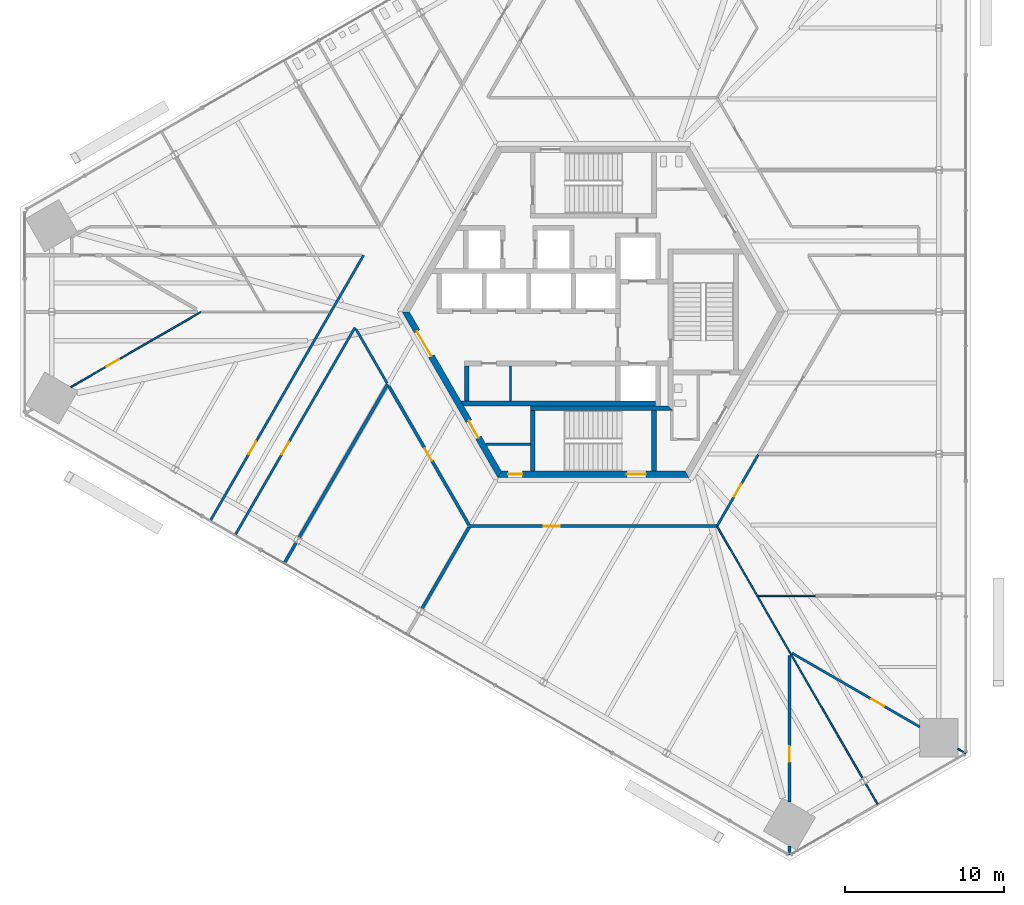
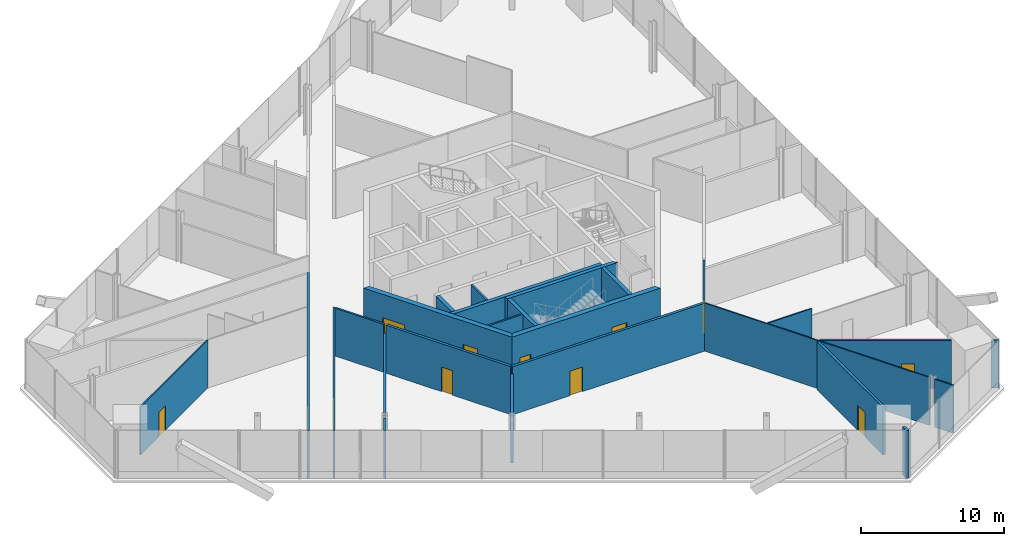
# One storey, part 11 of 17: 26 walls, 12 doors, 12 openings.
"""IFC4 building model written with IfcOpenShell, lengths in metres."""

from ifc_helpers import new_model, si_unit, direction, frame, frame_2d, origin, place, context, subcontext, project, spatial, polyline, rectangle, outline, extrude, source, transform, mapped, material, layer, layer_set, type_object, element, fill, save


model = new_model("IFC4")

# Units and contexts
model_context = context("Model", 3, precision=1e-05, world=origin(), true_north=direction((0.0, 1.0)))
body_context = subcontext(model_context, "Body", "Model", "MODEL_VIEW")
ifc_project = project(units=[si_unit("LENGTHUNIT", "METRE"), si_unit("AREAUNIT", "SQUARE_METRE"), si_unit("VOLUMEUNIT", "CUBIC_METRE"), si_unit("PLANEANGLEUNIT", "RADIAN"), si_unit("MASSUNIT", "GRAM", prefix="KILO")], contexts=[model_context])

# Site, building, storey
site_placement = place(None, origin())
site = spatial("IfcSite", under=ifc_project, at=site_placement, CompositionType="ELEMENT")
building_placement = place(site_placement, origin())
building = spatial("IfcBuilding", under=site, at=building_placement, Name="Triune Harvest Tower", CompositionType="ELEMENT")
storey_placement = place(building_placement, frame((0.0, 0.0, 46.10009765625)))
storey = spatial("IfcBuildingStorey", under=building, at=storey_placement, Name="L10", CompositionType="ELEMENT", Elevation=46.10009765625)

# Wall
ifc_material_1 = material(Name="Gypsum board on steel studs", Category="steel")
ifc_layer_1 = layer(ifc_material_1, 0.14990234375)
ifc_layer_set_1 = layer_set([ifc_layer_1], Name="Gypsum board on steel studs")
wall_type_1 = type_object("IfcWallType", Name="Fire Partition 150 mm", PredefinedType="PARTITIONING", material=ifc_layer_set_1)
wall_1_placement = place(storey_placement, frame((-14.902587890625, -1.072509765625, 0.0), z_axis=(0.0, 0.0, 1.0), x_axis=(0.500012721296, -0.866018059016, 0.0)))
element("IfcWall", 1, at=wall_1_placement, inside=storey, type_object=wall_type_1, Name="Partition L10 004", PredefinedType="PARTITIONING", context=body_context, shape_type="SweptSolid", body=[
    extrude(rectangle(XDim=3.931640625, YDim=0.14990234375, at=frame_2d((1.9658203125, 0.0))), origin(), (0.0, 0.0, 1.0), 4.099853515625),
])

# Wall, opening, door
wall_2_placement = place(storey_placement, frame((12.4736328125, -21.414794921875, 0.0), z_axis=(0.0, 0.0, 1.0), x_axis=(0.86602701864, -0.499997202977, 0.0)))
wall_2 = element("IfcWall", 2, at=wall_2_placement, inside=storey, type_object=wall_type_1, Name="Partition L10 020", PredefinedType="PARTITIONING", context=body_context, shape_type="SweptSolid", body=[
    extrude(rectangle(XDim=9.255859375, YDim=0.14990234375, at=frame_2d((4.6279296875, 0.0))), origin(), (0.0, 0.0, 1.0), 4.099853515625),
])
opening_1_placement = place(wall_2_placement, frame((5.760009765625, 0.0, 0.0)))
opening_1 = element("IfcOpeningElement", 3, at=opening_1_placement, cuts=wall_2, Name="Opening L10-025", PredefinedType="OPENING", context=body_context, shape_type="SweptSolid", body=[
    extrude(rectangle(XDim=0.89990234375, YDim=2.10009765625, at=frame_2d((0.449951171875, 1.050048828125))), frame((0.0, 0.0849609375, 0.0), z_axis=(0.0, -1.0, 0.0), x_axis=(1.0, 0.0, 0.0)), (0.0, 0.0, 1.0), 0.169921875),
])
ifc_material_2 = material(Name="Timber and steel door set", Category="steel")
door_type_1 = type_object("IfcDoorType", Name="Single leaf door FD30 left hand 900 x 2100", OperationType="SINGLE_SWING_LEFT", PredefinedType="DOOR", material=ifc_material_2)
door_1_placement = place(opening_1_placement, origin())
door_1 = element("IfcDoor", 4, at=door_1_placement, inside=storey, type_object=door_type_1, Name="Door L10-025 Feed Store 10.25", OperationType="SINGLE_SWING_LEFT", OverallHeight=2.10009765625, OverallWidth=0.89990234375, PredefinedType="DOOR", context=body_context, shape_type="SweptSolid", body=[
    extrude(rectangle(XDim=0.89990234375, YDim=2.10009765625, at=frame_2d((0.449951171875, 1.050048828125))), frame((0.0, 0.02490234375, 0.0), z_axis=(0.0, -1.0, 0.0), x_axis=(1.0, 0.0, 0.0)), (0.0, 0.0, 1.0), 0.050048828125),
])
fill(opening_1, door_1)

wall_3_placement = place(storey_placement, frame((7.77587890625, -13.416259765625, 0.0), z_axis=(0.0, 0.0, 1.0), x_axis=(0.50002671436, 0.866009979692, 0.0)))
wall_3 = element("IfcWall", 5, at=wall_3_placement, inside=storey, type_object=wall_type_1, Name="Partition L10 045", PredefinedType="PARTITIONING", context=body_context, shape_type="SweptSolid", body=[
    extrude(rectangle(XDim=5.139892578125, YDim=0.14990234375, at=frame_2d((2.56982421875, 0.0))), origin(), (0.0, 0.0, 1.0), 4.099853515625),
])
opening_2_placement = place(wall_3_placement, frame((2.119873046875, 0.0, 0.0)))
opening_2 = element("IfcOpeningElement", 6, at=opening_2_placement, cuts=wall_3, Name="Opening L10-002", PredefinedType="OPENING", context=body_context, shape_type="SweptSolid", body=[
    extrude(rectangle(XDim=0.89990234375, YDim=2.10009765625, at=frame_2d((0.449951171875, 1.050048828125))), frame((0.0, 0.0849609375, 0.0), z_axis=(0.0, -1.0, 0.0), x_axis=(1.0, 0.0, 0.0)), (0.0, 0.0, 1.0), 0.169921875),
])
ifc_material_3 = material(Name="Timber and steel door set", Category="steel")
door_type_2 = type_object("IfcDoorType", Name="Single leaf door FD30 right hand 900 x 2100", OperationType="SINGLE_SWING_RIGHT", PredefinedType="DOOR", material=ifc_material_3)
door_2_placement = place(opening_2_placement, origin())
door_2 = element("IfcDoor", 7, at=door_2_placement, inside=storey, type_object=door_type_2, Name="Door L10-002 Staff Room 10.02", OperationType="SINGLE_SWING_RIGHT", OverallHeight=2.10009765625, OverallWidth=0.89990234375, PredefinedType="DOOR", context=body_context, shape_type="SweptSolid", body=[
    extrude(rectangle(XDim=0.89990234375, YDim=2.10009765625, at=frame_2d((0.449951171875, 1.050048828125))), frame((0.0, 0.02490234375, 0.0), z_axis=(0.0, -1.0, 0.0), x_axis=(1.0, 0.0, 0.0)), (0.0, 0.0, 1.0), 0.050048828125),
])
fill(opening_2, door_2)

wall_4_placement = place(storey_placement, frame((-22.480712890625, -14.0078125, 0.0), z_axis=(0.0, 0.0, 1.0), x_axis=(0.500001023236, 0.866024813018, 0.0)))
wall_4 = element("IfcWall", 8, at=wall_4_placement, inside=storey, type_object=wall_type_1, Name="Partition L10 052", PredefinedType="PARTITIONING", context=body_context, shape_type="SweptSolid", body=[
    extrude(rectangle(XDim=15.04638671875, YDim=0.14990234375, at=frame_2d((7.523193359375, 0.0))), origin(), (0.0, 0.0, 1.0), 4.099853515625),
])
opening_3_placement = place(wall_4_placement, frame((5.85009765625, 0.0, 0.0)))
opening_3 = element("IfcOpeningElement", 9, at=opening_3_placement, cuts=wall_4, Name="Opening L10-021", PredefinedType="OPENING", context=body_context, shape_type="SweptSolid", body=[
    extrude(rectangle(XDim=0.89990234375, YDim=2.10009765625, at=frame_2d((0.449951171875, 1.050048828125))), frame((0.0, 0.0849609375, 0.0), z_axis=(0.0, -1.0, 0.0), x_axis=(1.0, 0.0, 0.0)), (0.0, 0.0, 1.0), 0.169921875),
])
door_3_placement = place(opening_3_placement, origin())
door_3 = element("IfcDoor", 10, at=door_3_placement, inside=storey, type_object=door_type_2, Name="Door L10-021 Packing Room 10.21", OperationType="SINGLE_SWING_RIGHT", OverallHeight=2.10009765625, OverallWidth=0.89990234375, PredefinedType="DOOR", context=body_context, shape_type="SweptSolid", body=[
    extrude(rectangle(XDim=0.89990234375, YDim=2.10009765625, at=frame_2d((0.449951171875, 1.050048828125))), frame((0.0, 0.02490234375, 0.0), z_axis=(0.0, -1.0, 0.0), x_axis=(1.0, 0.0, 0.0)), (0.0, 0.0, 1.0), 0.050048828125),
])
fill(opening_3, door_3)

wall_5_placement = place(storey_placement, frame((-24.03955078125, -13.107666015625, 0.0), z_axis=(0.0, 0.0, 1.0), x_axis=(0.500008033299, 0.866020765707, 0.0)))
wall_5 = element("IfcWall", 11, at=wall_5_placement, inside=storey, type_object=wall_type_1, Name="Partition L10 055", PredefinedType="PARTITIONING", context=body_context, shape_type="SweptSolid", body=[
    extrude(rectangle(XDim=19.240478515625, YDim=0.14990234375, at=frame_2d((9.6201171875, 0.0))), origin(), (0.0, 0.0, 1.0), 4.099853515625),
])
opening_4_placement = place(wall_5_placement, frame((4.852294921875, 0.0, 0.0)))
opening_4 = element("IfcOpeningElement", 12, at=opening_4_placement, cuts=wall_5, Name="Opening L10-020", PredefinedType="OPENING", context=body_context, shape_type="SweptSolid", body=[
    extrude(rectangle(XDim=0.89990234375, YDim=2.10009765625, at=frame_2d((0.449951171875, 1.050048828125))), frame((0.0, 0.0849609375, 0.0), z_axis=(0.0, -1.0, 0.0), x_axis=(1.0, 0.0, 0.0)), (0.0, 0.0, 1.0), 0.169921875),
])
door_4_placement = place(opening_4_placement, origin())
door_4 = element("IfcDoor", 13, at=door_4_placement, inside=storey, type_object=door_type_1, Name="Door L10-020 Dry Store Room 10.20", OperationType="SINGLE_SWING_LEFT", OverallHeight=2.10009765625, OverallWidth=0.89990234375, PredefinedType="DOOR", context=body_context, shape_type="SweptSolid", body=[
    extrude(rectangle(XDim=0.89990234375, YDim=2.10009765625, at=frame_2d((0.449951171875, 1.050048828125))), frame((0.0, 0.02490234375, 0.0), z_axis=(0.0, -1.0, 0.0), x_axis=(1.0, 0.0, 0.0)), (0.0, 0.0, 1.0), 0.050048828125),
])
fill(opening_4, door_4)

ifc_material_4 = material(Name="Gypsum board on steel studs", Category="steel")
ifc_layer_2 = layer(ifc_material_4, 0.199951171875)
ifc_layer_set_2 = layer_set([ifc_layer_2], Name="Gypsum board on steel studs")
wall_type_2 = type_object("IfcWallType", Name="Fire Wall 200 mm", PredefinedType="PARTITIONING", material=ifc_layer_set_2)
wall_6_placement = place(storey_placement, frame((-12.826904296875, -4.66796875, 0.0), z_axis=(0.0, 0.0, 1.0), x_axis=(0.500014404596, -0.866017087127, 0.0)))
wall_6 = element("IfcWall", 14, at=wall_6_placement, inside=storey, type_object=wall_type_2, Name="Partition L10 005", PredefinedType="PARTITIONING", context=body_context, shape_type="SweptSolid", body=[
    extrude(rectangle(XDim=10.061767578125, YDim=0.199951171875, at=frame_2d((5.03076171875, 0.0))), origin(), (0.0, 0.0, 1.0), 4.099853515625),
])
opening_5_placement = place(wall_6_placement, frame((4.493408203125, 0.0, 0.0)))
opening_5 = element("IfcOpeningElement", 15, at=opening_5_placement, cuts=wall_6, Name="Opening L10-022", PredefinedType="OPENING", context=body_context, shape_type="SweptSolid", body=[
    extrude(rectangle(XDim=0.89990234375, YDim=2.10009765625, at=frame_2d((0.449951171875, 1.050048828125))), frame((0.0, 0.10986328125, 0.0), z_axis=(0.0, -1.0, 0.0), x_axis=(1.0, 0.0, 0.0)), (0.0, 0.0, 1.0), 0.219970703125),
])
ifc_material_5 = material(Name="Timber and steel door set", Category="steel")
door_type_3 = type_object("IfcDoorType", Name="Single leaf door FD60 right hand 900 x 2100", OperationType="SINGLE_SWING_RIGHT", PredefinedType="DOOR", material=ifc_material_5)
door_5_placement = place(opening_5_placement, origin())
door_5 = element("IfcDoor", 16, at=door_5_placement, inside=storey, type_object=door_type_3, Name="Door L10-022 Filtration Room 10.22", OperationType="SINGLE_SWING_RIGHT", OverallHeight=2.10009765625, OverallWidth=0.89990234375, PredefinedType="DOOR", context=body_context, shape_type="SweptSolid", body=[
    extrude(rectangle(XDim=0.89990234375, YDim=2.10009765625, at=frame_2d((0.449951171875, 1.050048828125))), frame((0.0, 0.02490234375, 0.0), z_axis=(0.0, -1.0, 0.0), x_axis=(1.0, 0.0, 0.0)), (0.0, 0.0, 1.0), 0.050048828125),
])
fill(opening_5, door_5)

wall_7_placement = place(storey_placement, frame((-7.760986328125, -13.4423828125, 0.0), z_axis=(0.0, 0.0, 1.0), x_axis=(1.0, 0.0, 0.0)))
wall_7 = element("IfcWall", 17, at=wall_7_placement, inside=storey, type_object=wall_type_2, Name="Partition L10 024", PredefinedType="PARTITIONING", context=body_context, shape_type="SweptSolid", body=[
    extrude(rectangle(XDim=15.491943359375, YDim=0.199951171875, at=frame_2d((7.74609375, 0.0))), origin(), (0.0, 0.0, 1.0), 4.099853515625),
])
opening_6_placement = place(wall_7_placement, frame((4.64990234375, 0.0, 0.0)))
opening_6 = element("IfcOpeningElement", 18, at=opening_6_placement, cuts=wall_7, Name="Opening L10-023", PredefinedType="OPENING", context=body_context, shape_type="SweptSolid", body=[
    extrude(rectangle(XDim=1.0, YDim=2.10009765625, at=frame_2d((0.5, 1.050048828125))), frame((0.0, 0.10986328125, 0.0), z_axis=(0.0, -1.0, 0.0), x_axis=(1.0, 0.0, 0.0)), (0.0, 0.0, 1.0), 0.219970703125),
])
ifc_material_6 = material(Name="Timber and steel door set", Category="steel")
door_type_4 = type_object("IfcDoorType", Name="Wide single leaf door FD60 right hand 1000 x 2100", OperationType="SINGLE_SWING_RIGHT", PredefinedType="DOOR", material=ifc_material_6)
door_6_placement = place(opening_6_placement, origin())
door_6 = element("IfcDoor", 19, at=door_6_placement, inside=storey, type_object=door_type_4, Name="Door L10-023 Fish Tank Hall 10.23", OperationType="SINGLE_SWING_RIGHT", OverallHeight=2.10009765625, OverallWidth=1.0, PredefinedType="DOOR", context=body_context, shape_type="SweptSolid", body=[
    extrude(rectangle(XDim=1.0, YDim=2.10009765625, at=frame_2d((0.5, 1.050048828125))), frame((0.0, 0.02490234375, 0.0), z_axis=(0.0, -1.0, 0.0), x_axis=(1.0, 0.0, 0.0)), (0.0, 0.0, 1.0), 0.050048828125),
])
fill(opening_6, door_6)

# Walls
wall_8_placement = place(storey_placement, frame((-10.7431640625, -18.607666015625, 0.0), z_axis=(0.0, 0.0, 1.0), x_axis=(0.499987757185, 0.866032472062, 0.0)))
element("IfcWall", 20, at=wall_8_placement, inside=storey, type_object=wall_type_2, Name="Partition L10 048", PredefinedType="PARTITIONING", context=body_context, shape_type="SweptSolid", body=[
    extrude(rectangle(XDim=5.894775390625, YDim=0.199951171875, at=frame_2d((2.947265625, 0.0))), origin(), (0.0, 0.0, 1.0), 3.48779296875),
])
wall_9_placement = place(storey_placement, frame((12.30908203125, -34.093505859375, 0.0), z_axis=(0.0, 0.0, 1.0), x_axis=(0.0, 1.0, 0.0)))
element("IfcWall", 21, at=wall_9_placement, inside=storey, type_object=wall_type_2, Name="Partition L10 061", PredefinedType="PARTITIONING", context=body_context, shape_type="SweptSolid", body=[
    extrude(rectangle(XDim=0.579345703125, YDim=0.199951171875, at=frame_2d((0.28955078125, 0.0))), origin(), (0.0, 0.0, 1.0), 4.099853515625),
])

# Wall, opening, door
wall_10_placement = place(storey_placement, frame((12.30908203125, -30.765869140625, 0.0), z_axis=(0.0, 0.0, 1.0), x_axis=(0.0, 1.0, 0.0)))
wall_10 = element("IfcWall", 22, at=wall_10_placement, inside=storey, type_object=wall_type_2, Name="Partition L10 062", PredefinedType="PARTITIONING", context=body_context, shape_type="SweptSolid", body=[
    extrude(rectangle(XDim=9.2158203125, YDim=0.199951171875, at=frame_2d((4.60791015625, 0.0))), origin(), (0.0, 0.0, 1.0), 4.099853515625),
])
opening_7_placement = place(wall_10_placement, frame((2.522216796875, 0.0, 0.0)))
opening_7 = element("IfcOpeningElement", 23, at=opening_7_placement, cuts=wall_10, Name="Opening L10-024", PredefinedType="OPENING", context=body_context, shape_type="SweptSolid", body=[
    extrude(rectangle(XDim=1.0, YDim=2.10009765625, at=frame_2d((0.5, 1.050048828125))), frame((0.0, 0.10986328125, 0.0), z_axis=(0.0, -1.0, 0.0), x_axis=(1.0, 0.0, 0.0)), (0.0, 0.0, 1.0), 0.219970703125),
])
door_7_placement = place(opening_7_placement, origin())
door_7 = element("IfcDoor", 24, at=door_7_placement, inside=storey, type_object=door_type_4, Name="Door L10-024 Aquaponic Growing Room 10.24", OperationType="SINGLE_SWING_RIGHT", OverallHeight=2.10009765625, OverallWidth=1.0, PredefinedType="DOOR", context=body_context, shape_type="SweptSolid", body=[
    extrude(rectangle(XDim=1.0, YDim=2.10009765625, at=frame_2d((0.5, 1.050048828125))), frame((0.0, 0.02490234375, 0.0), z_axis=(0.0, -1.0, 0.0), x_axis=(1.0, 0.0, 0.0)), (0.0, 0.0, 1.0), 0.050048828125),
])
fill(opening_7, door_7)

# Walls
ifc_material_7 = material(Name="Gypsum board on steel studs", Category="steel")
ifc_layer_3 = layer(ifc_material_7, 0.10009765625)
ifc_layer_set_3 = layer_set([ifc_layer_3], Name="Gypsum board on steel studs")
wall_type_3 = type_object("IfcWallType", Name="Partition 100 mm", PredefinedType="PARTITIONING", material=ifc_layer_set_3)
wall_11_placement = place(storey_placement, frame((7.7607421875, -13.4423828125, 0.0), z_axis=(0.0, 0.0, 1.0), x_axis=(0.499995773473, -0.866027843957, 0.0)))
element("IfcWall", 25, at=wall_11_placement, inside=storey, type_object=wall_type_3, Name="Partition L10 012", PredefinedType="PARTITIONING", context=body_context, shape_type="SweptSolid", body=[
    extrude(rectangle(XDim=18.273681640625, YDim=0.10009765625, at=frame_2d((9.13671875, 0.0))), origin(), (0.0, 0.0, 1.0), 4.099853515625),
])
wall_12_placement = place(storey_placement, frame((22.869384765625, -27.4169921875, 0.0), z_axis=(0.0, 0.0, 1.0), x_axis=(0.866136511816, -0.499807505846, 0.0)))
element("IfcWall", 26, at=wall_12_placement, inside=storey, type_object=wall_type_3, Name="Partition L10 021", PredefinedType="PARTITIONING", context=body_context, shape_type="SweptSolid", body=[
    extrude(rectangle(XDim=0.579833984375, YDim=0.10009765625, at=frame_2d((0.2900390625, 0.0))), origin(), (0.0, 0.0, 1.0), 4.099853515625),
])
wall_13_placement = place(storey_placement, frame((10.348388671875, -17.820068359375, 0.0), z_axis=(0.0, 0.0, 1.0), x_axis=(1.0, 0.0, 0.0)))
element("IfcWall", 27, at=wall_13_placement, inside=storey, type_object=wall_type_3, Name="Partition L10 022", PredefinedType="PARTITIONING", context=body_context, shape_type="SweptSolid", body=[
    extrude(rectangle(XDim=3.569580078125, YDim=0.10009765625, at=frame_2d((1.78466796875, 0.0))), origin(), (0.0, 0.0, 1.0), 4.099853515625),
])

# Wall, openings, doors
ifc_material_8 = material(Name="Concrete 70 MPa", Category="concrete")
ifc_layer_4 = layer(ifc_material_8, 0.39990234375)
ifc_layer_set_4 = layer_set([ifc_layer_4], Name="Concrete 70 MPa")
wall_type_4 = type_object("IfcWallType", Name="Core wall 400", PredefinedType="SHEAR", material=ifc_layer_set_4)
shared_shape_1 = source(origin(), body_context, "Body", "SweptSolid", [
    extrude(outline(polyline([(-0.115478515625, -0.199951171875), (11.884521484375, -0.199951171875), (11.653564453125, 0.199951171875), (0.115478515625, 0.199951171875), (-0.115478515625, -0.199951171875)])), origin(), (0.0, 0.0, 1.0), 4.099853515625),
])
wall_14_placement = place(storey_placement, frame((-11.76904296875, 0.0, 0.0), z_axis=(0.0, 0.0, 1.0), x_axis=(0.499996592174, -0.866027371285, 0.0)))
wall_14 = element("IfcWall", 28, at=wall_14_placement, inside=storey, type_object=wall_type_4, Name="Hexagon 3 wall", PredefinedType="SHEAR", context=body_context, shape_type="MappedRepresentation", body=[
    mapped(shared_shape_1, transform((0.0, 0.0, 0.0), scale=1.0)),
])
opening_8_placement = place(wall_14_placement, frame((1.404541015625, 0.0, 0.0)))
opening_8 = element("IfcOpeningElement", 29, at=opening_8_placement, cuts=wall_14, Name="Opening CD-LS", PredefinedType="OPENING", context=body_context, shape_type="SweptSolid", body=[
    extrude(rectangle(XDim=1.800048828125, YDim=2.10009765625, at=frame_2d((0.89990234375, 1.050048828125))), frame((0.0, 0.2099609375, 0.0), z_axis=(0.0, -1.0, 0.0), x_axis=(1.0, 0.0, 0.0)), (0.0, 0.0, 1.0), 0.419921875),
])
opening_9_placement = place(wall_14_placement, frame((7.91455078125, 0.0, 0.0)))
opening_9 = element("IfcOpeningElement", 30, at=opening_9_placement, cuts=wall_14, Name="Opening CD-SWP", PredefinedType="OPENING", context=body_context, shape_type="SweptSolid", body=[
    extrude(rectangle(XDim=1.199951171875, YDim=2.10009765625, at=frame_2d((0.60009765625, 1.050048828125))), frame((0.0, 0.2099609375, 0.0), z_axis=(0.0, -1.0, 0.0), x_axis=(1.0, 0.0, 0.0)), (0.0, 0.0, 1.0), 0.419921875),
])
ifc_material_9 = material(Name="Steel S235", Category="steel")
door_type_5 = type_object("IfcDoorType", Name="Lobby door 1800 FD120", OperationType="DOUBLE_DOOR_DOUBLE_SWING", PredefinedType="DOOR", material=ifc_material_9)
door_8_placement = place(opening_8_placement, frame((1.800048828125, 0.0, 0.0), z_axis=(0.0, 0.0, 1.0), x_axis=(-1.0, 0.0, 0.0)))
door_8 = element("IfcDoor", 31, at=door_8_placement, inside=storey, type_object=door_type_5, Name="Door CD-LS", OperationType="DOUBLE_DOOR_DOUBLE_SWING", OverallHeight=2.10009765625, OverallWidth=1.800048828125, PredefinedType="DOOR", context=body_context, shape_type="SweptSolid", body=[
    extrude(rectangle(XDim=1.800048828125, YDim=2.10009765625, at=frame_2d((0.89990234375, 1.050048828125))), frame((0.0, 0.02490234375, 0.0), z_axis=(0.0, -1.0, 0.0), x_axis=(1.0, 0.0, 0.0)), (0.0, 0.0, 1.0), 0.050048828125),
])
fill(opening_8, door_8)
ifc_material_10 = material(Name="Steel S235", Category="steel")
door_type_6 = type_object("IfcDoorType", Name="Service door 1200 FD120", OperationType="SINGLE_SWING_LEFT", PredefinedType="DOOR", material=ifc_material_10)
door_9_placement = place(opening_9_placement, frame((1.199951171875, 0.0, 0.0), z_axis=(0.0, 0.0, 1.0), x_axis=(-1.0, 0.0, 0.0)))
door_9 = element("IfcDoor", 32, at=door_9_placement, inside=storey, type_object=door_type_6, Name="Door CD-SWP", OperationType="SINGLE_SWING_RIGHT", OverallHeight=2.10009765625, OverallWidth=1.199951171875, PredefinedType="DOOR", context=body_context, shape_type="SweptSolid", body=[
    extrude(rectangle(XDim=1.199951171875, YDim=2.10009765625, at=frame_2d((0.60009765625, 1.050048828125))), frame((0.0, 0.02490234375, 0.0), z_axis=(0.0, -1.0, 0.0), x_axis=(1.0, 0.0, 0.0)), (0.0, 0.0, 1.0), 0.050048828125),
])
fill(opening_9, door_9)

wall_15_placement = place(storey_placement, frame((-5.884521484375, -10.1923828125, 0.0), z_axis=(0.0, 0.0, 1.0), x_axis=(1.0, 0.0, 0.0)))
wall_15 = element("IfcWall", 33, at=wall_15_placement, inside=storey, type_object=wall_type_4, Name="Hexagon 4 wall", PredefinedType="SHEAR", context=body_context, shape_type="MappedRepresentation", body=[
    mapped(shared_shape_1, transform((0.0, 0.0, 0.0), scale=1.0)),
])
opening_10_placement = place(wall_15_placement, frame((7.984619140625, 0.0, 0.0)))
opening_10 = element("IfcOpeningElement", 34, at=opening_10_placement, cuts=wall_15, Name="Opening CD-S2P", PredefinedType="OPENING", context=body_context, shape_type="SweptSolid", body=[
    extrude(rectangle(XDim=1.199951171875, YDim=2.10009765625, at=frame_2d((0.60009765625, 1.050048828125))), frame((0.0, 0.2099609375, 0.0), z_axis=(0.0, -1.0, 0.0), x_axis=(1.0, 0.0, 0.0)), (0.0, 0.0, 1.0), 0.419921875),
])
opening_11_placement = place(wall_15_placement, frame((0.534423828125, 0.0, 0.0)))
opening_11 = element("IfcOpeningElement", 35, at=opening_11_placement, cuts=wall_15, Name="Opening CD-SWS", PredefinedType="OPENING", context=body_context, shape_type="SweptSolid", body=[
    extrude(rectangle(XDim=0.89990234375, YDim=2.10009765625, at=frame_2d((0.449951171875, 1.050048828125))), frame((0.0, 0.2099609375, 0.0), z_axis=(0.0, -1.0, 0.0), x_axis=(1.0, 0.0, 0.0)), (0.0, 0.0, 1.0), 0.419921875),
])
ifc_material_11 = material(Name="Steel S235", Category="steel")
door_type_7 = type_object("IfcDoorType", Name="Riser door 900 FD120", OperationType="SINGLE_SWING_LEFT", PredefinedType="DOOR", material=ifc_material_11)
door_10_placement = place(opening_11_placement, frame((0.89990234375, 0.0, 0.0), z_axis=(0.0, 0.0, 1.0), x_axis=(-1.0, 0.0, 0.0)))
door_10 = element("IfcDoor", 36, at=door_10_placement, inside=storey, type_object=door_type_7, Name="Door CD-SWS", OperationType="SINGLE_SWING_RIGHT", OverallHeight=2.10009765625, OverallWidth=0.89990234375, PredefinedType="DOOR", context=body_context, shape_type="SweptSolid", body=[
    extrude(rectangle(XDim=0.89990234375, YDim=2.10009765625, at=frame_2d((0.449951171875, 1.050048828125))), frame((0.0, 0.02490234375, 0.0), z_axis=(0.0, -1.0, 0.0), x_axis=(1.0, 0.0, 0.0)), (0.0, 0.0, 1.0), 0.050048828125),
])
fill(opening_11, door_10)
ifc_material_12 = material(Name="Steel S235", Category="steel")
door_type_8 = type_object("IfcDoorType", Name="Stair door 1200 FD120", OperationType="SINGLE_SWING_LEFT", PredefinedType="DOOR", material=ifc_material_12)
door_11_placement = place(opening_10_placement, frame((1.199951171875, 0.0, 0.0), z_axis=(0.0, 0.0, 1.0), x_axis=(-1.0, 0.0, 0.0)))
door_11 = element("IfcDoor", 37, at=door_11_placement, inside=storey, type_object=door_type_8, Name="Door CD-S2P", OperationType="SINGLE_SWING_RIGHT", OverallHeight=2.10009765625, OverallWidth=1.199951171875, PredefinedType="DOOR", context=body_context, shape_type="SweptSolid", body=[
    extrude(rectangle(XDim=1.199951171875, YDim=2.10009765625, at=frame_2d((0.60009765625, 1.050048828125))), frame((0.0, 0.02490234375, 0.0), z_axis=(0.0, -1.0, 0.0), x_axis=(1.0, 0.0, 0.0)), (0.0, 0.0, 1.0), 0.050048828125),
])
fill(opening_10, door_11)

# Walls
ifc_material_13 = material(Name="Concrete 70 MPa", Category="concrete")
ifc_layer_5 = layer(ifc_material_13, 0.300048828125)
ifc_layer_set_5 = layer_set([ifc_layer_5], Name="Concrete 70 MPa")
wall_type_5 = type_object("IfcWallType", Name="Core wall 300", PredefinedType="SHEAR", material=ifc_layer_set_5)
shared_shape_2 = source(origin(), body_context, "Body", "SweptSolid", [
    extrude(outline(polyline([(12.0, -0.14990234375), (-0.039794921875, -0.14990234375), (-0.212890625, 0.14990234375), (12.0, 0.14990234375), (12.0, -0.14990234375)])), origin(), (0.0, 0.0, 1.0), 4.099853515625),
])
wall_16_placement = place(storey_placement, frame((-8.10009765625, -5.739990234375, 0.0), z_axis=(0.0, 0.0, 1.0), x_axis=(1.0, 0.0, 0.0)))
element("IfcWall", 38, at=wall_16_placement, inside=storey, type_object=wall_type_5, Name="South back wall", PredefinedType="SHEAR", context=body_context, shape_type="MappedRepresentation", body=[
    mapped(shared_shape_2, transform((0.0, 0.0, 0.0), scale=1.0)),
])
shared_shape_3 = source(origin(), body_context, "Body", "SweptSolid", [
    extrude(rectangle(XDim=2.2001953125, YDim=0.300048828125, at=frame_2d((1.10009765625, 0.0))), origin(), (0.0, 0.0, 1.0), 4.099853515625),
])
wall_17_placement = place(storey_placement, frame((-7.949951171875, -5.590087890625, 0.0), z_axis=(0.0, 0.0, 1.0), x_axis=(0.0, 1.0, 0.0)))
element("IfcWall", 39, at=wall_17_placement, inside=storey, type_object=wall_type_5, Name="South end west wall", PredefinedType="SHEAR", context=body_context, shape_type="MappedRepresentation", body=[
    mapped(shared_shape_3, transform((0.0, 0.0, 0.0), scale=1.0)),
])
shared_shape_4 = source(origin(), body_context, "Body", "SweptSolid", [
    extrude(outline(polyline([(0.0, -0.14990234375), (8.949951171875, -0.14990234375), (8.64990234375, 0.14990234375), (0.0, 0.14990234375), (0.0, -0.14990234375)])), origin(), (0.0, 0.0, 1.0), 4.099853515625),
])
wall_18_placement = place(storey_placement, frame((-3.949951171875, -6.0400390625, 0.0), z_axis=(0.0, 0.0, 1.0), x_axis=(1.0, 0.0, 0.0)))
element("IfcWall", 40, at=wall_18_placement, inside=storey, type_object=wall_type_5, Name="Stair s north wall", PredefinedType="SHEAR", context=body_context, shape_type="MappedRepresentation", body=[
    mapped(shared_shape_4, transform((0.0, 0.0, 0.0), scale=1.0)),
])
shared_shape_5 = source(origin(), body_context, "Body", "SweptSolid", [
    extrude(outline(polyline([(3.800048828125, -0.14990234375), (-0.00439453125, -0.14990234375), (-0.00439453125, 0.14990234375), (3.800048828125, 0.14990234375), (3.800048828125, -0.14990234375)])), origin(), (0.0, 0.0, 1.0), 4.099853515625),
])
for number, where, z_axis, x_axis, name in (
    (41, (-3.800048828125, -9.989990234375, 0.0), (0.0, 0.0, 1.0), (0.0, 1.0, 0.0), "Stair s west wall"),
    (42, (3.800048828125, -9.989990234375, 0.0), (0.0, 0.0, 1.0), (0.0, 1.0, 0.0), "Stair s east wall"),
):
    element("IfcWall", number, at=place(storey_placement, frame(where, z_axis=z_axis, x_axis=x_axis)), inside=storey, type_object=wall_type_5, Name=name, PredefinedType="SHEAR", context=body_context, shape_type="MappedRepresentation", body=[
        mapped(shared_shape_5, transform((0.0, 0.0, 0.0), scale=1.0)),
    ])
ifc_material_14 = material(Name="Concrete masonry unit", Category="masonry")
ifc_layer_6 = layer(ifc_material_14, 0.14990234375)
ifc_layer_set_6 = layer_set([ifc_layer_6], Name="Concrete masonry unit")
wall_type_6 = type_object("IfcWallType", Name="Block partition 150", PredefinedType="PARTITIONING", material=ifc_layer_set_6)
shared_shape_6 = source(origin(), body_context, "Body", "SweptSolid", [
    extrude(rectangle(XDim=2.2001953125, YDim=0.14990234375, at=frame_2d((1.10009765625, 0.0))), origin(), (0.0, 0.0, 1.0), 4.099853515625),
])
wall_19_placement = place(storey_placement, frame((-5.199951171875, -5.590087890625, 0.0), z_axis=(0.0, 0.0, 1.0), x_axis=(0.0, 1.0, 0.0)))
element("IfcWall", 43, at=wall_19_placement, inside=storey, type_object=wall_type_6, Name="Row s part 1 wall", PredefinedType="PARTITIONING", context=body_context, shape_type="MappedRepresentation", body=[
    mapped(shared_shape_6, transform((0.0, 0.0, 0.0), scale=1.0)),
])
shared_shape_7 = source(origin(), body_context, "Body", "SweptSolid", [
    extrude(rectangle(XDim=2.777099609375, YDim=0.14990234375, at=frame_2d((1.388671875, 0.0))), origin(), (0.0, 0.0, 1.0), 4.099853515625),
])
wall_20_placement = place(storey_placement, frame((-6.72705078125, -8.300048828125, 0.0), z_axis=(0.0, 0.0, 1.0), x_axis=(1.0, 0.0, 0.0)))
element("IfcWall", 44, at=wall_20_placement, inside=storey, type_object=wall_type_6, Name="Sw part wall", PredefinedType="PARTITIONING", context=body_context, shape_type="MappedRepresentation", body=[
    mapped(shared_shape_7, transform((0.0, 0.0, 0.0), scale=1.0)),
])
shared_shape_8 = source(origin(), body_context, "Body", "SweptSolid", [
    extrude(rectangle(XDim=1.49853515625, YDim=0.199951171875, at=frame_2d((0.749267578125, 0.0))), origin(), (0.0, 0.0, 1.0), 4.099853515625),
])
wall_21_placement = place(storey_placement, frame((-19.40185546875, -15.78515625, 0.0), z_axis=(0.0, 0.0, 1.0), x_axis=(0.499976292358, 0.866039090965, 0.0)))
element("IfcWall", 45, at=wall_21_placement, inside=storey, type_object=wall_type_2, Name="Partition L10 050", PredefinedType="PARTITIONING", context=body_context, shape_type="MappedRepresentation", body=[
    mapped(shared_shape_8, transform((0.0, 0.0, 0.0), scale=1.0)),
])
shared_shape_9 = source(origin(), body_context, "Body", "SweptSolid", [
    extrude(rectangle(XDim=1.498779296875, YDim=0.10009765625, at=frame_2d((0.74951171875, 0.0))), origin(), (0.0, 0.0, 1.0), 4.099853515625),
])
wall_22_placement = place(storey_placement, frame((17.0908203125, -29.602294921875, 0.0), z_axis=(0.0, 0.0, 1.0), x_axis=(0.499905760005, -0.866079806435, 0.0)))
element("IfcWall", 46, at=wall_22_placement, inside=storey, type_object=wall_type_3, Name="Partition L10 013", PredefinedType="PARTITIONING", context=body_context, shape_type="MappedRepresentation", body=[
    mapped(shared_shape_9, transform((0.0, 0.0, 0.0), scale=1.0)),
])

# Wall, opening, door
shared_shape_10 = source(origin(), body_context, "Body", "SweptSolid", [
    extrude(rectangle(XDim=9.44580078125, YDim=0.10009765625, at=frame_2d((4.722900390625, 0.0))), origin(), (0.0, 0.0, 1.0), 4.099853515625),
])
wall_23_placement = place(storey_placement, frame((-32.798583984375, -4.722900390625, 0.0), z_axis=(0.0, 0.0, 1.0), x_axis=(0.866028486751, 0.499994660107, 0.0)))
wall_23 = element("IfcWall", 47, at=wall_23_placement, inside=storey, type_object=wall_type_3, Name="Partition L10 043", PredefinedType="PARTITIONING", context=body_context, shape_type="MappedRepresentation", body=[
    mapped(shared_shape_10, transform((0.0, 0.0, 0.0), scale=1.0)),
])
opening_12_placement = place(wall_23_placement, frame((2.595947265625, 0.0, 0.0)))
opening_12 = element("IfcOpeningElement", 48, at=opening_12_placement, cuts=wall_23, Name="Opening L10-019", PredefinedType="OPENING", context=body_context, shape_type="SweptSolid", body=[
    extrude(rectangle(XDim=0.89990234375, YDim=2.10009765625, at=frame_2d((0.449951171875, 1.050048828125))), frame((0.0, 0.06005859375, 0.0), z_axis=(0.0, -1.0, 0.0), x_axis=(1.0, 0.0, 0.0)), (0.0, 0.0, 1.0), 0.1201171875),
])
ifc_material_15 = material(Name="Timber and steel door set", Category="steel")
door_type_9 = type_object("IfcDoorType", Name="Single leaf door left hand 900 x 2100", OperationType="SINGLE_SWING_LEFT", PredefinedType="DOOR", material=ifc_material_15)
door_12_placement = place(opening_12_placement, origin())
door_12 = element("IfcDoor", 49, at=door_12_placement, inside=storey, type_object=door_type_9, Name="Door L10-019 Packing Room 10.19", OperationType="SINGLE_SWING_LEFT", OverallHeight=2.10009765625, OverallWidth=0.89990234375, PredefinedType="DOOR", context=body_context, shape_type="SweptSolid", body=[
    extrude(rectangle(XDim=0.89990234375, YDim=2.10009765625, at=frame_2d((0.449951171875, 1.050048828125))), frame((0.0, 0.02490234375, 0.0), z_axis=(0.0, -1.0, 0.0), x_axis=(1.0, 0.0, 0.0)), (0.0, 0.0, 1.0), 0.050048828125),
])
fill(opening_12, door_12)

# Wall
shared_shape_11 = source(origin(), body_context, "Body", "SweptSolid", [
    extrude(rectangle(XDim=11.108642578125, YDim=0.199951171875, at=frame_2d((5.55419921875, 0.0))), origin(), (0.0, 0.0, 1.0), 3.343017578125),
])
wall_24_placement = place(storey_placement, frame((-18.45947265625, -14.152587890625, 0.0), z_axis=(0.0, 0.0, 1.0), x_axis=(0.5000084499, 0.866020525177, 0.0)))
element("IfcWall", 50, at=wall_24_placement, inside=storey, type_object=wall_type_2, Name="Partition L10 051", PredefinedType="PARTITIONING", context=body_context, shape_type="MappedRepresentation", body=[
    mapped(shared_shape_11, transform((0.0, 0.0, 0.0), scale=1.0)),
])

save(model, "model.ifc")
